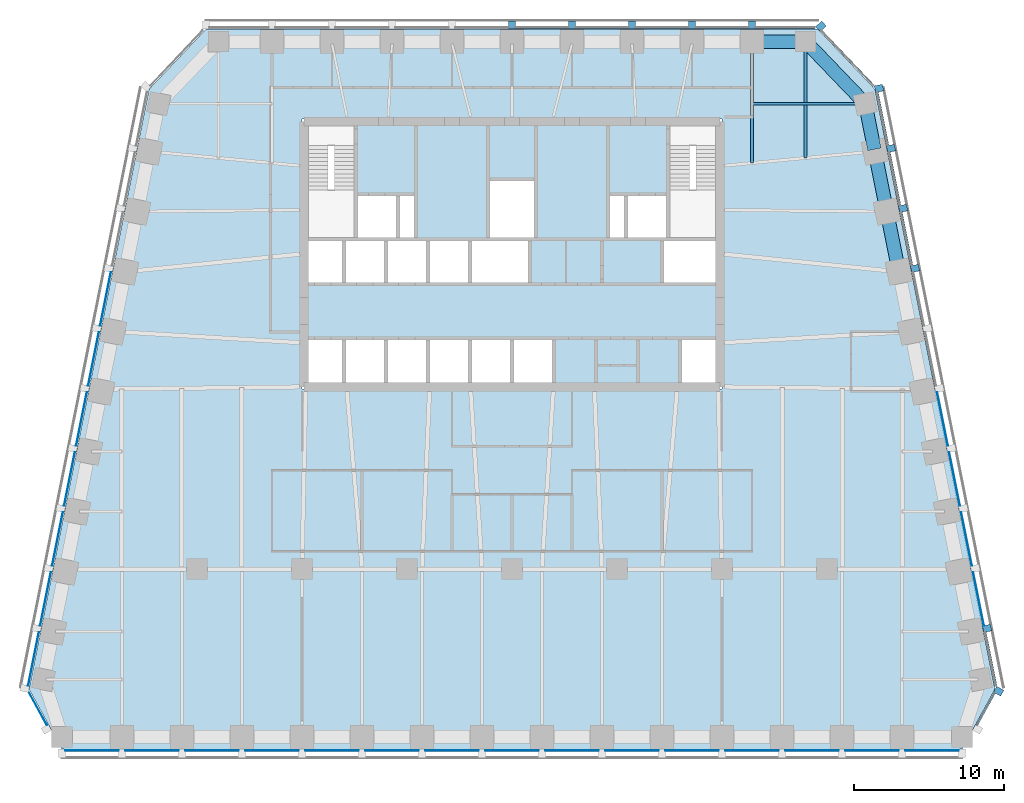
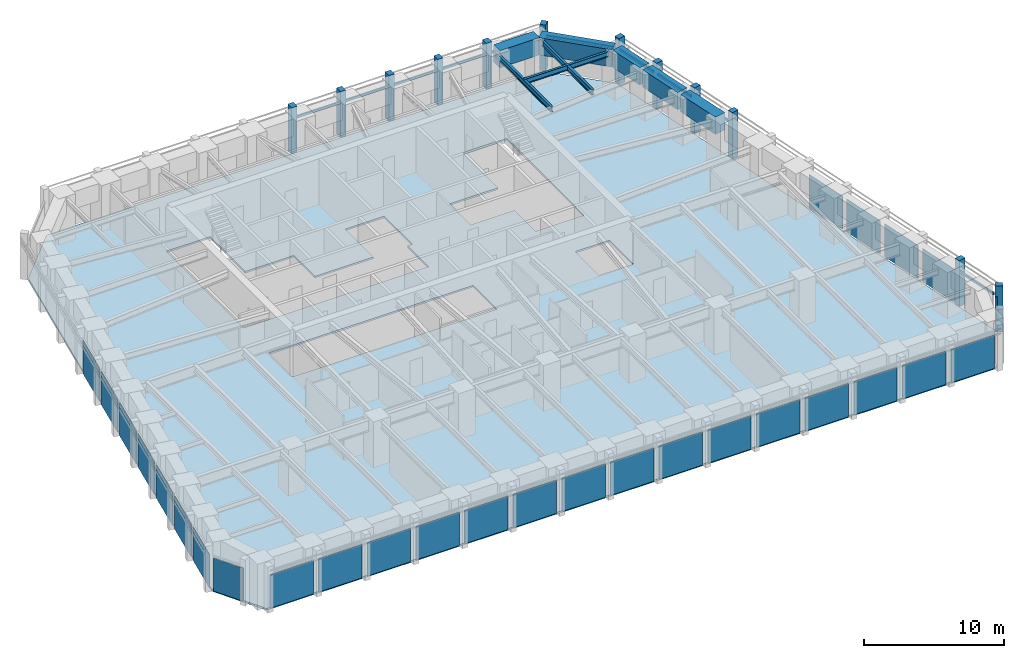
# One storey, part 4 of 10: 27 plates, 23 members, 8 beams, 1 slab, 7 elements without a shape of their own.
"""IFC4 building model written with IfcOpenShell, lengths in metres."""

from ifc_helpers import new_model, si_unit, direction, frame, origin, origin_2d, place, context, subcontext, project, spatial, polyline, rectangle, i_section, outline, extrude, material, layer, layer_set, material_profile, profile_set, type_object, element, aggregate, save


model = new_model("IFC4")

# Units and contexts
model_context = context("Model", 3, precision=1e-05, world=origin(), true_north=direction((0.0, 1.0)))
body_context = subcontext(model_context, "Body", "Model", "MODEL_VIEW")
ifc_project = project(units=[si_unit("LENGTHUNIT", "METRE"), si_unit("AREAUNIT", "SQUARE_METRE"), si_unit("VOLUMEUNIT", "CUBIC_METRE"), si_unit("PLANEANGLEUNIT", "RADIAN"), si_unit("MASSUNIT", "GRAM", prefix="KILO")], contexts=[model_context])

# Site, building, storey
site_placement = place(None, origin())
site = spatial("IfcSite", under=ifc_project, at=site_placement, CompositionType="ELEMENT")
building_placement = place(site_placement, origin())
building = spatial("IfcBuilding", under=site, at=building_placement, Name="Isbrekke Arena Tower", CompositionType="ELEMENT")
storey_placement = place(building_placement, frame((0.0, 0.0, 186.0)))
storey = spatial("IfcBuildingStorey", under=building, at=storey_placement, Name="L42", CompositionType="ELEMENT", Elevation=186.0)

# Beams
ifc_material_1 = material(Name="Steel S355", Category="steel")
ifc_material_profile_1 = material_profile(ifc_material_1, i_section(OverallWidth=0.18994140625, OverallDepth=0.449951171875, WebThickness=0.009521484375, FlangeThickness=0.0146484375, FilletRadius=0.02099609375, at=origin_2d()), Name="IPE 450")
ifc_profile_set_1 = profile_set([ifc_material_profile_1], Name="Steel S355")
beam_type_1 = type_object("IfcBeamType", Name="B2 IPE 450", PredefinedType="BEAM", material=ifc_profile_set_1)
beam_1_placement = place(storey_placement, frame((23.40283203125, 25.029296875, 3.625), z_axis=(-1.0, 0.0, 0.0), x_axis=(0.0, -1.0, 0.0)))
element("IfcBeam", 1, at=beam_1_placement, inside=storey, type_object=beam_type_1, Name="B2 beam E-E11 L42", PredefinedType="BEAM", context=body_context, shape_type="SweptSolid", body=[
    extrude(i_section(OverallWidth=0.18994140625, OverallDepth=0.449951171875, WebThickness=0.009521484375, FlangeThickness=0.0146484375, FilletRadius=0.02099609375, at=origin_2d()), origin(), (0.0, 0.0, 1.0), 7.40283203125),
])
ifc_material_2 = material(Name="Steel S355", Category="steel")
ifc_material_profile_2 = material_profile(ifc_material_2, i_section(OverallWidth=0.18994140625, OverallDepth=0.449951171875, WebThickness=0.009521484375, FlangeThickness=0.0146484375, FilletRadius=0.02099609375, at=origin_2d()), Name="IPE 450")
ifc_profile_set_2 = profile_set([ifc_material_profile_2], Name="Steel S355")
beam_type_2 = type_object("IfcBeamType", Name="B3 IPE 450", PredefinedType="BEAM", material=ifc_profile_set_2)
beam_2_placement = place(storey_placement, frame((19.574951171875, 29.02490234375, 3.625), z_axis=(0.0, -1.0, 0.0), x_axis=(1.0, 0.0, 0.0)))
element("IfcBeam", 2, at=beam_2_placement, inside=storey, type_object=beam_type_2, Name="B3 beam N-N01 L42", PredefinedType="BEAM", context=body_context, shape_type="SweptSolid", body=[
    extrude(i_section(OverallWidth=0.18994140625, OverallDepth=0.449951171875, WebThickness=0.009521484375, FlangeThickness=0.0146484375, FilletRadius=0.02099609375, at=origin_2d()), origin(), (0.0, 0.0, 1.0), 7.6103515625),
])
beam_3_placement = place(storey_placement, frame((16.0, 29.02490234375, 3.625), z_axis=(0.0, -1.0, 0.0), x_axis=(1.0, 0.0, 0.0)))
element("IfcBeam", 3, at=beam_3_placement, inside=storey, type_object=beam_type_2, Name="B3 beam N-N02 L42", PredefinedType="BEAM", context=body_context, shape_type="SweptSolid", body=[
    extrude(i_section(OverallWidth=0.18994140625, OverallDepth=0.449951171875, WebThickness=0.009521484375, FlangeThickness=0.0146484375, FilletRadius=0.02099609375, at=origin_2d()), origin(), (0.0, 0.0, 1.0), 7.949462890625),
])

# Curtain wall, member
ifc_material_3 = material(Name="Glazed aluminium curtain wall", Category="aluminium")
curtain_wall_type = type_object("IfcCurtainWallType", Name="CWH TOWER CURTAIN WALL HIGH ZONE", PredefinedType="USERDEFINED", material=ifc_material_3)
curtain_wall_1_placement = place(storey_placement, origin())
curtain_wall_1 = element("IfcCurtainWall", 4, at=curtain_wall_1_placement, inside=storey, type_object=curtain_wall_type, Name="CWH curtain wall L42-SE", ObjectType="TOWER CURTAIN WALL HIGH ZONE", PredefinedType="USERDEFINED")
ifc_material_4 = material(Name="Aluminium mullion, pale brick slip cladding", Category="masonry")
ifc_material_profile_3 = material_profile(ifc_material_4, rectangle(XDim=0.449951171875, YDim=0.550048828125, at=origin_2d()), Name="PIER 450X550")
ifc_profile_set_3 = profile_set([ifc_material_profile_3], Name="Aluminium mullion, pale brick slip cladding")
member_type_1 = type_object("IfcMemberType", Name="CWH-M PIER MULLION 450 x 550", PredefinedType="MULLION", material=ifc_profile_set_3)
member_1_placement = place(storey_placement, frame((32.44091796875, -14.132568359375, 0.0), z_axis=(0.0, 0.0, 1.0), x_axis=(0.481918749773, 0.876215908676, 0.0)))
member_1 = element("IfcMember", 5, at=member_1_placement, type_object=member_type_1, Name="CWH-M mullion 2", PredefinedType="MULLION", context=body_context, shape_type="SweptSolid", body=[
    extrude(rectangle(XDim=0.449951171875, YDim=0.550048828125, at=origin_2d()), origin(), (0.0, 0.0, 1.0), 4.0),
])

# Curtain wall, members
curtain_wall_2_placement = place(storey_placement, origin())
curtain_wall_2 = element("IfcCurtainWall", 6, at=curtain_wall_2_placement, inside=storey, type_object=curtain_wall_type, Name="CWH curtain wall L42-E", ObjectType="TOWER CURTAIN WALL HIGH ZONE", PredefinedType="USERDEFINED")
member_2_placement = place(storey_placement, frame((31.669677734375, -9.946044921875, 0.0), z_axis=(0.0, 0.0, 1.0), x_axis=(-0.196116135138, 0.980580675691, 0.0)))
member_2 = element("IfcMember", 7, at=member_2_placement, type_object=member_type_1, Name="CWH-M mullion 1", PredefinedType="MULLION", context=body_context, shape_type="SweptSolid", body=[
    extrude(rectangle(XDim=0.449951171875, YDim=0.550048828125, at=origin_2d()), origin(), (0.0, 0.0, 1.0), 4.0),
])
member_3_placement = place(storey_placement, frame((26.86962890625, 14.053955078125, 0.0), z_axis=(0.0, 0.0, 1.0), x_axis=(-0.196116135138, 0.980580675691, 0.0)))
member_3 = element("IfcMember", 8, at=member_3_placement, type_object=member_type_1, Name="CWH-M mullion 7", PredefinedType="MULLION", context=body_context, shape_type="SweptSolid", body=[
    extrude(rectangle(XDim=0.449951171875, YDim=0.550048828125, at=origin_2d()), origin(), (0.0, 0.0, 1.0), 4.0),
])
member_4_placement = place(storey_placement, frame((26.069580078125, 18.053955078125, 0.0), z_axis=(0.0, 0.0, 1.0), x_axis=(-0.196116135138, 0.980580675691, 0.0)))
member_4 = element("IfcMember", 9, at=member_4_placement, type_object=member_type_1, Name="CWH-M mullion 8", PredefinedType="MULLION", context=body_context, shape_type="SweptSolid", body=[
    extrude(rectangle(XDim=0.449951171875, YDim=0.550048828125, at=origin_2d()), origin(), (0.0, 0.0, 1.0), 4.0),
])
member_5_placement = place(storey_placement, frame((25.269775390625, 22.053955078125, 0.0), z_axis=(0.0, 0.0, 1.0), x_axis=(-0.196116135138, 0.980580675691, 0.0)))
member_5 = element("IfcMember", 10, at=member_5_placement, type_object=member_type_1, Name="CWH-M mullion 9", PredefinedType="MULLION", context=body_context, shape_type="SweptSolid", body=[
    extrude(rectangle(XDim=0.449951171875, YDim=0.550048828125, at=origin_2d()), origin(), (0.0, 0.0, 1.0), 4.0),
])
member_6_placement = place(storey_placement, frame((24.4697265625, 26.053955078125, 0.0), z_axis=(0.0, 0.0, 1.0), x_axis=(-0.196116135138, 0.980580675691, 0.0)))
member_6 = element("IfcMember", 11, at=member_6_placement, type_object=member_type_1, Name="CWH-M mullion 10", PredefinedType="MULLION", context=body_context, shape_type="SweptSolid", body=[
    extrude(rectangle(XDim=0.449951171875, YDim=0.550048828125, at=origin_2d()), origin(), (0.0, 0.0, 1.0), 4.0),
])

# Curtain wall, member
curtain_wall_3_placement = place(storey_placement, origin())
curtain_wall_3 = element("IfcCurtainWall", 12, at=curtain_wall_3_placement, inside=storey, type_object=curtain_wall_type, Name="CWH curtain wall L42-EN", ObjectType="TOWER CURTAIN WALL HIGH ZONE", PredefinedType="USERDEFINED")
member_7_placement = place(storey_placement, frame((20.599365234375, 30.189453125, 0.0), z_axis=(0.0, 0.0, 1.0), x_axis=(-0.68874946192, 0.72499943359, 0.0)))
member_7 = element("IfcMember", 13, at=member_7_placement, type_object=member_type_1, Name="CWH-M mullion 1", PredefinedType="MULLION", context=body_context, shape_type="SweptSolid", body=[
    extrude(rectangle(XDim=0.449951171875, YDim=0.550048828125, at=origin_2d()), origin(), (0.0, 0.0, 1.0), 4.0),
])

# Curtain wall, members
curtain_wall_4_placement = place(storey_placement, origin())
curtain_wall_4 = element("IfcCurtainWall", 14, at=curtain_wall_4_placement, inside=storey, type_object=curtain_wall_type, Name="CWH curtain wall L42-N", ObjectType="TOWER CURTAIN WALL HIGH ZONE", PredefinedType="USERDEFINED")
member_8_placement = place(storey_placement, frame((16.0, 30.27490234375, 0.0), z_axis=(0.0, 0.0, 1.0), x_axis=(-1.0, 0.0, 0.0)))
member_8 = element("IfcMember", 15, at=member_8_placement, type_object=member_type_1, Name="CWH-M mullion 1", PredefinedType="MULLION", context=body_context, shape_type="SweptSolid", body=[
    extrude(rectangle(XDim=0.449951171875, YDim=0.550048828125, at=origin_2d()), origin(), (0.0, 0.0, 1.0), 4.0),
])
member_9_placement = place(storey_placement, frame((12.0, 30.27490234375, 0.0), z_axis=(0.0, 0.0, 1.0), x_axis=(-1.0, 0.0, 0.0)))
member_9 = element("IfcMember", 16, at=member_9_placement, type_object=member_type_1, Name="CWH-M mullion 2", PredefinedType="MULLION", context=body_context, shape_type="SweptSolid", body=[
    extrude(rectangle(XDim=0.449951171875, YDim=0.550048828125, at=origin_2d()), origin(), (0.0, 0.0, 1.0), 4.0),
])
member_10_placement = place(storey_placement, frame((8.0, 30.27490234375, 0.0), z_axis=(0.0, 0.0, 1.0), x_axis=(-1.0, 0.0, 0.0)))
member_10 = element("IfcMember", 17, at=member_10_placement, type_object=member_type_1, Name="CWH-M mullion 3", PredefinedType="MULLION", context=body_context, shape_type="SweptSolid", body=[
    extrude(rectangle(XDim=0.449951171875, YDim=0.550048828125, at=origin_2d()), origin(), (0.0, 0.0, 1.0), 4.0),
])
member_11_placement = place(storey_placement, frame((4.0, 30.27490234375, 0.0), z_axis=(0.0, 0.0, 1.0), x_axis=(-1.0, 0.0, 0.0)))
member_11 = element("IfcMember", 18, at=member_11_placement, type_object=member_type_1, Name="CWH-M mullion 4", PredefinedType="MULLION", context=body_context, shape_type="SweptSolid", body=[
    extrude(rectangle(XDim=0.449951171875, YDim=0.550048828125, at=origin_2d()), origin(), (0.0, 0.0, 1.0), 4.0),
])
member_12_placement = place(storey_placement, frame((0.0, 30.27490234375, 0.0), z_axis=(0.0, 0.0, 1.0), x_axis=(-1.0, 0.0, 0.0)))
member_12 = element("IfcMember", 19, at=member_12_placement, type_object=member_type_1, Name="CWH-M mullion 5", PredefinedType="MULLION", context=body_context, shape_type="SweptSolid", body=[
    extrude(rectangle(XDim=0.449951171875, YDim=0.550048828125, at=origin_2d()), origin(), (0.0, 0.0, 1.0), 4.0),
])

# Member
ifc_material_5 = material(Name="Aluminium transom", Category="aluminium")
ifc_material_profile_4 = material_profile(ifc_material_5, rectangle(XDim=0.1201171875, YDim=0.199951171875, at=origin_2d()), Name="TRANSOM 120X200")
ifc_profile_set_4 = profile_set([ifc_material_profile_4], Name="Aluminium transom")
member_type_2 = type_object("IfcMemberType", Name="CWH-T TRANSOM 120 x 200", PredefinedType="USERDEFINED", material=ifc_profile_set_4)
member_13_placement = place(storey_placement, frame((31.002197265625, -16.38525390625, 3.0), z_axis=(0.481937937062, 0.876205355393, 0.0), x_axis=(-0.876205355393, 0.481937937062, 0.0)))
member_13 = element("IfcMember", 20, at=member_13_placement, type_object=member_type_2, Name="CWH-T transom 1", ObjectType="TRANSOM", PredefinedType="USERDEFINED", context=body_context, shape_type="SweptSolid", body=[
    extrude(rectangle(XDim=0.1201171875, YDim=0.199951171875, at=origin_2d()), origin(), (0.0, 0.0, 1.0), 2.442138671875),
])

aggregate(curtain_wall_1, [member_1, member_13])

member_14_placement = place(storey_placement, frame((32.25390625, -13.759765625, 3.0), z_axis=(-0.196090262229, 0.980585849918, 0.0), x_axis=(-0.980585849918, -0.196090262229, 0.0)))
member_14 = element("IfcMember", 21, at=member_14_placement, type_object=member_type_2, Name="CWH-T transom 1", ObjectType="TRANSOM", PredefinedType="USERDEFINED", context=body_context, shape_type="SweptSolid", body=[
    extrude(rectangle(XDim=0.1201171875, YDim=0.199951171875, at=origin_2d()), origin(), (0.0, 0.0, 1.0), 3.62939453125),
])

member_15_placement = place(storey_placement, frame((26.654052734375, 14.240234375, 3.0), z_axis=(-0.196154943734, 0.980572913173, 0.0), x_axis=(-0.980572913173, -0.196154943734, 0.0)))
member_15 = element("IfcMember", 22, at=member_15_placement, type_object=member_type_2, Name="CWH-T transom 8", ObjectType="TRANSOM", PredefinedType="USERDEFINED", context=body_context, shape_type="SweptSolid", body=[
    extrude(rectangle(XDim=0.1201171875, YDim=0.199951171875, at=origin_2d()), origin(), (0.0, 0.0, 1.0), 3.62939453125),
])

member_16_placement = place(storey_placement, frame((25.85400390625, 18.240234375, 3.0), z_axis=(-0.196154943734, 0.980572913173, 0.0), x_axis=(-0.980572913173, -0.196154943734, 0.0)))
member_16 = element("IfcMember", 23, at=member_16_placement, type_object=member_type_2, Name="CWH-T transom 9", ObjectType="TRANSOM", PredefinedType="USERDEFINED", context=body_context, shape_type="SweptSolid", body=[
    extrude(rectangle(XDim=0.1201171875, YDim=0.199951171875, at=origin_2d()), origin(), (0.0, 0.0, 1.0), 3.62939453125),
])

member_17_placement = place(storey_placement, frame((25.053955078125, 22.240234375, 3.0), z_axis=(-0.196090262229, 0.980585849918, 0.0), x_axis=(-0.980585849918, -0.196090262229, 0.0)))
member_17 = element("IfcMember", 24, at=member_17_placement, type_object=member_type_2, Name="CWH-T transom 10", ObjectType="TRANSOM", PredefinedType="USERDEFINED", context=body_context, shape_type="SweptSolid", body=[
    extrude(rectangle(XDim=0.1201171875, YDim=0.199951171875, at=origin_2d()), origin(), (0.0, 0.0, 1.0), 3.62939453125),
])

member_18_placement = place(storey_placement, frame((24.117431640625, 26.23193359375, 3.0), z_axis=(-0.688734266994, 0.725013868466, 0.0), x_axis=(-0.725013868466, -0.688734266994, 0.0)))
member_18 = element("IfcMember", 25, at=member_18_placement, type_object=member_type_2, Name="CWH-T transom 1", ObjectType="TRANSOM", PredefinedType="USERDEFINED", context=body_context, shape_type="SweptSolid", body=[
    extrude(rectangle(XDim=0.1201171875, YDim=0.199951171875, at=origin_2d()), origin(), (0.0, 0.0, 1.0), 5.067138671875),
])

aggregate(curtain_wall_3, [member_7, member_18])

member_19_placement = place(storey_placement, frame((20.175048828125, 30.10009765625, 3.0), z_axis=(-1.0, 0.0, 0.0), x_axis=(0.0, -1.0, 0.0)))
member_19 = element("IfcMember", 26, at=member_19_placement, type_object=member_type_2, Name="CWH-T transom 1", ObjectType="TRANSOM", PredefinedType="USERDEFINED", context=body_context, shape_type="SweptSolid", body=[
    extrude(rectangle(XDim=0.1201171875, YDim=0.199951171875, at=origin_2d()), origin(), (0.0, 0.0, 1.0), 3.949951171875),
])

member_20_placement = place(storey_placement, frame((15.77490234375, 30.10009765625, 3.0), z_axis=(-1.0, 0.0, 0.0), x_axis=(0.0, -1.0, 0.0)))
member_20 = element("IfcMember", 27, at=member_20_placement, type_object=member_type_2, Name="CWH-T transom 2", ObjectType="TRANSOM", PredefinedType="USERDEFINED", context=body_context, shape_type="SweptSolid", body=[
    extrude(rectangle(XDim=0.1201171875, YDim=0.199951171875, at=origin_2d()), origin(), (0.0, 0.0, 1.0), 3.5498046875),
])

member_21_placement = place(storey_placement, frame((11.77490234375, 30.10009765625, 3.0), z_axis=(-1.0, 0.0, 0.0), x_axis=(0.0, -1.0, 0.0)))
member_21 = element("IfcMember", 28, at=member_21_placement, type_object=member_type_2, Name="CWH-T transom 3", ObjectType="TRANSOM", PredefinedType="USERDEFINED", context=body_context, shape_type="SweptSolid", body=[
    extrude(rectangle(XDim=0.1201171875, YDim=0.199951171875, at=origin_2d()), origin(), (0.0, 0.0, 1.0), 3.5498046875),
])

member_22_placement = place(storey_placement, frame((7.77490234375, 30.10009765625, 3.0), z_axis=(-1.0, 0.0, 0.0), x_axis=(0.0, -1.0, 0.0)))
member_22 = element("IfcMember", 29, at=member_22_placement, type_object=member_type_2, Name="CWH-T transom 4", ObjectType="TRANSOM", PredefinedType="USERDEFINED", context=body_context, shape_type="SweptSolid", body=[
    extrude(rectangle(XDim=0.1201171875, YDim=0.199951171875, at=origin_2d()), origin(), (0.0, 0.0, 1.0), 3.5498046875),
])

member_23_placement = place(storey_placement, frame((3.77490234375, 30.10009765625, 3.0), z_axis=(-1.0, 0.0, 0.0), x_axis=(0.0, -1.0, 0.0)))
member_23 = element("IfcMember", 30, at=member_23_placement, type_object=member_type_2, Name="CWH-T transom 5", ObjectType="TRANSOM", PredefinedType="USERDEFINED", context=body_context, shape_type="SweptSolid", body=[
    extrude(rectangle(XDim=0.1201171875, YDim=0.199951171875, at=origin_2d()), origin(), (0.0, 0.0, 1.0), 3.5498046875),
])

aggregate(curtain_wall_4, [member_8, member_9, member_10, member_11, member_12, member_19, member_20, member_21, member_22, member_23])

# Beams
ifc_material_6 = material(Name="Concrete B65 (C65/80)", Category="concrete")
ifc_material_profile_5 = material_profile(ifc_material_6, rectangle(XDim=0.89990234375, YDim=1.5, at=origin_2d()), Name="RC 900x1500")
ifc_profile_set_5 = profile_set([ifc_material_profile_5], Name="Concrete B65 (C65/80)")
beam_type_3 = type_object("IfcBeamType", Name="SB3 RC 900 x 1500", PredefinedType="SPANDREL", material=ifc_profile_set_5)
for number, where, z_axis, x_axis, name in (
    (31, (25.76171875, 13.9853515625, 3.25), (-0.196128558387, 0.980578190959, 0.0), (-0.980578190959, -0.196128558387, 0.0), "SB3 spandrel E08-E09 L42"),
    (32, (24.961669921875, 17.9853515625, 3.25), (-0.196128558387, 0.980578190959, 0.0), (-0.980578190959, -0.196128558387, 0.0), "SB3 spandrel E09-E10 L42"),
):
    element("IfcBeam", number, at=place(storey_placement, frame(where, z_axis=z_axis, x_axis=x_axis)), inside=storey, type_object=beam_type_3, Name=name, PredefinedType="SPANDREL", context=body_context, shape_type="SweptSolid", body=[
        extrude(rectangle(XDim=0.89990234375, YDim=1.5, at=origin_2d()), origin(), (0.0, 0.0, 1.0), 3.779296875),
    ])
beam_4_placement = place(storey_placement, frame((24.16162109375, 21.9853515625, 3.25), z_axis=(-0.196116135138, 0.980580675691, 0.0), x_axis=(-0.980580675691, -0.196116135138, 0.0)))
element("IfcBeam", 33, at=beam_4_placement, inside=storey, type_object=beam_type_3, Name="SB3 spandrel E10-E11 L42", PredefinedType="SPANDREL", context=body_context, shape_type="SweptSolid", body=[
    extrude(rectangle(XDim=0.89990234375, YDim=1.5, at=origin_2d()), origin(), (0.0, 0.0, 1.0), 2.9541015625),
])
beam_5_placement = place(storey_placement, frame((23.448974609375, 25.137451171875, 3.25), z_axis=(-0.692339547635, 0.721571861134, 0.0), x_axis=(-0.721571861134, -0.692339547635, 0.0)))
element("IfcBeam", 34, at=beam_5_placement, inside=storey, type_object=beam_type_3, Name="SB3 spandrel E11-N01 L42", PredefinedType="SPANDREL", context=body_context, shape_type="SweptSolid", body=[
    extrude(rectangle(XDim=0.89990234375, YDim=1.5, at=origin_2d()), origin(), (0.0, 0.0, 1.0), 5.4453125),
])
beam_6_placement = place(storey_placement, frame((19.425048828125, 29.175048828125, 3.25), z_axis=(-1.0, 0.0, 0.0), x_axis=(0.0, -1.0, 0.0)))
element("IfcBeam", 35, at=beam_6_placement, inside=storey, type_object=beam_type_3, Name="SB3 spandrel N01-N02 L42", PredefinedType="SPANDREL", context=body_context, shape_type="SweptSolid", body=[
    extrude(rectangle(XDim=0.89990234375, YDim=1.5, at=origin_2d()), origin(), (0.0, 0.0, 1.0), 3.275146484375),
])

# Curtain wall, plates
curtain_wall_5_placement = place(storey_placement, origin())
curtain_wall_5 = element("IfcCurtainWall", 36, at=curtain_wall_5_placement, inside=storey, type_object=curtain_wall_type, Name="CWH curtain wall L42-S", ObjectType="TOWER CURTAIN WALL HIGH ZONE", PredefinedType="USERDEFINED")
ifc_material_7 = material(Name="Triple-glazed clear glass unit", Category="glass")
ifc_layer_1 = layer(ifc_material_7, 0.031982421875)
ifc_layer_set_1 = layer_set([ifc_layer_1], Name="CWH-P VISION PANEL")
plate_type = type_object("IfcPlateType", Name="CWH-P VISION PANEL", PredefinedType="CURTAIN_PANEL", material=ifc_layer_set_1)
plate_1_placement = place(storey_placement, frame((-28.0, -18.10009765625, 0.02001953125), z_axis=(0.0, 0.0, 1.0), x_axis=(1.0, 0.0, 0.0)))
plate_1 = element("IfcPlate", 37, at=plate_1_placement, type_object=plate_type, Name="CWH-P panel 1", PredefinedType="CURTAIN_PANEL", context=body_context, shape_type="SweptSolid", body=[
    extrude(rectangle(XDim=3.550048828125, YDim=0.031982421875, at=origin_2d()), origin(), (0.0, 0.0, 1.0), 2.8798828125),
])
plate_2_placement = place(storey_placement, frame((-24.0, -18.10009765625, 0.02001953125), z_axis=(0.0, 0.0, 1.0), x_axis=(1.0, 0.0, 0.0)))
plate_2 = element("IfcPlate", 38, at=plate_2_placement, type_object=plate_type, Name="CWH-P panel 2", PredefinedType="CURTAIN_PANEL", context=body_context, shape_type="SweptSolid", body=[
    extrude(rectangle(XDim=3.550048828125, YDim=0.031982421875, at=origin_2d()), origin(), (0.0, 0.0, 1.0), 2.8798828125),
])
plate_3_placement = place(storey_placement, frame((-20.0, -18.10009765625, 0.02001953125), z_axis=(0.0, 0.0, 1.0), x_axis=(1.0, 0.0, 0.0)))
plate_3 = element("IfcPlate", 39, at=plate_3_placement, type_object=plate_type, Name="CWH-P panel 3", PredefinedType="CURTAIN_PANEL", context=body_context, shape_type="SweptSolid", body=[
    extrude(rectangle(XDim=3.550048828125, YDim=0.031982421875, at=origin_2d()), origin(), (0.0, 0.0, 1.0), 2.8798828125),
])
plate_4_placement = place(storey_placement, frame((-16.0, -18.10009765625, 0.02001953125), z_axis=(0.0, 0.0, 1.0), x_axis=(1.0, 0.0, 0.0)))
plate_4 = element("IfcPlate", 40, at=plate_4_placement, type_object=plate_type, Name="CWH-P panel 4", PredefinedType="CURTAIN_PANEL", context=body_context, shape_type="SweptSolid", body=[
    extrude(rectangle(XDim=3.550048828125, YDim=0.031982421875, at=origin_2d()), origin(), (0.0, 0.0, 1.0), 2.8798828125),
])
plate_5_placement = place(storey_placement, frame((-12.0, -18.10009765625, 0.02001953125), z_axis=(0.0, 0.0, 1.0), x_axis=(1.0, 0.0, 0.0)))
plate_5 = element("IfcPlate", 41, at=plate_5_placement, type_object=plate_type, Name="CWH-P panel 5", PredefinedType="CURTAIN_PANEL", context=body_context, shape_type="SweptSolid", body=[
    extrude(rectangle(XDim=3.550048828125, YDim=0.031982421875, at=origin_2d()), origin(), (0.0, 0.0, 1.0), 2.8798828125),
])
plate_6_placement = place(storey_placement, frame((-8.0, -18.10009765625, 0.02001953125), z_axis=(0.0, 0.0, 1.0), x_axis=(1.0, 0.0, 0.0)))
plate_6 = element("IfcPlate", 42, at=plate_6_placement, type_object=plate_type, Name="CWH-P panel 6", PredefinedType="CURTAIN_PANEL", context=body_context, shape_type="SweptSolid", body=[
    extrude(rectangle(XDim=3.550048828125, YDim=0.031982421875, at=origin_2d()), origin(), (0.0, 0.0, 1.0), 2.8798828125),
])
plate_7_placement = place(storey_placement, frame((-4.0, -18.10009765625, 0.02001953125), z_axis=(0.0, 0.0, 1.0), x_axis=(1.0, 0.0, 0.0)))
plate_7 = element("IfcPlate", 43, at=plate_7_placement, type_object=plate_type, Name="CWH-P panel 7", PredefinedType="CURTAIN_PANEL", context=body_context, shape_type="SweptSolid", body=[
    extrude(rectangle(XDim=3.550048828125, YDim=0.031982421875, at=origin_2d()), origin(), (0.0, 0.0, 1.0), 2.8798828125),
])
plate_8_placement = place(storey_placement, frame((0.0, -18.10009765625, 0.02001953125), z_axis=(0.0, 0.0, 1.0), x_axis=(1.0, 0.0, 0.0)))
plate_8 = element("IfcPlate", 44, at=plate_8_placement, type_object=plate_type, Name="CWH-P panel 8", PredefinedType="CURTAIN_PANEL", context=body_context, shape_type="SweptSolid", body=[
    extrude(rectangle(XDim=3.550048828125, YDim=0.031982421875, at=origin_2d()), origin(), (0.0, 0.0, 1.0), 2.8798828125),
])
plate_9_placement = place(storey_placement, frame((4.0, -18.10009765625, 0.02001953125), z_axis=(0.0, 0.0, 1.0), x_axis=(1.0, 0.0, 0.0)))
plate_9 = element("IfcPlate", 45, at=plate_9_placement, type_object=plate_type, Name="CWH-P panel 9", PredefinedType="CURTAIN_PANEL", context=body_context, shape_type="SweptSolid", body=[
    extrude(rectangle(XDim=3.550048828125, YDim=0.031982421875, at=origin_2d()), origin(), (0.0, 0.0, 1.0), 2.8798828125),
])
plate_10_placement = place(storey_placement, frame((8.0, -18.10009765625, 0.02001953125), z_axis=(0.0, 0.0, 1.0), x_axis=(1.0, 0.0, 0.0)))
plate_10 = element("IfcPlate", 46, at=plate_10_placement, type_object=plate_type, Name="CWH-P panel 10", PredefinedType="CURTAIN_PANEL", context=body_context, shape_type="SweptSolid", body=[
    extrude(rectangle(XDim=3.550048828125, YDim=0.031982421875, at=origin_2d()), origin(), (0.0, 0.0, 1.0), 2.8798828125),
])
plate_11_placement = place(storey_placement, frame((12.0, -18.10009765625, 0.02001953125), z_axis=(0.0, 0.0, 1.0), x_axis=(1.0, 0.0, 0.0)))
plate_11 = element("IfcPlate", 47, at=plate_11_placement, type_object=plate_type, Name="CWH-P panel 11", PredefinedType="CURTAIN_PANEL", context=body_context, shape_type="SweptSolid", body=[
    extrude(rectangle(XDim=3.550048828125, YDim=0.031982421875, at=origin_2d()), origin(), (0.0, 0.0, 1.0), 2.8798828125),
])
plate_12_placement = place(storey_placement, frame((16.0, -18.10009765625, 0.02001953125), z_axis=(0.0, 0.0, 1.0), x_axis=(1.0, 0.0, 0.0)))
plate_12 = element("IfcPlate", 48, at=plate_12_placement, type_object=plate_type, Name="CWH-P panel 12", PredefinedType="CURTAIN_PANEL", context=body_context, shape_type="SweptSolid", body=[
    extrude(rectangle(XDim=3.550048828125, YDim=0.031982421875, at=origin_2d()), origin(), (0.0, 0.0, 1.0), 2.8798828125),
])
plate_13_placement = place(storey_placement, frame((20.0, -18.10009765625, 0.02001953125), z_axis=(0.0, 0.0, 1.0), x_axis=(1.0, 0.0, 0.0)))
plate_13 = element("IfcPlate", 49, at=plate_13_placement, type_object=plate_type, Name="CWH-P panel 13", PredefinedType="CURTAIN_PANEL", context=body_context, shape_type="SweptSolid", body=[
    extrude(rectangle(XDim=3.550048828125, YDim=0.031982421875, at=origin_2d()), origin(), (0.0, 0.0, 1.0), 2.8798828125),
])
plate_14_placement = place(storey_placement, frame((24.0, -18.10009765625, 0.02001953125), z_axis=(0.0, 0.0, 1.0), x_axis=(1.0, 0.0, 0.0)))
plate_14 = element("IfcPlate", 50, at=plate_14_placement, type_object=plate_type, Name="CWH-P panel 14", PredefinedType="CURTAIN_PANEL", context=body_context, shape_type="SweptSolid", body=[
    extrude(rectangle(XDim=3.550048828125, YDim=0.031982421875, at=origin_2d()), origin(), (0.0, 0.0, 1.0), 2.8798828125),
])
plate_15_placement = place(storey_placement, frame((28.0, -18.10009765625, 0.02001953125), z_axis=(0.0, 0.0, 1.0), x_axis=(1.0, 0.0, 0.0)))
plate_15 = element("IfcPlate", 51, at=plate_15_placement, type_object=plate_type, Name="CWH-P panel 15", PredefinedType="CURTAIN_PANEL", context=body_context, shape_type="SweptSolid", body=[
    extrude(rectangle(XDim=3.550048828125, YDim=0.031982421875, at=origin_2d()), origin(), (0.0, 0.0, 1.0), 2.8798828125),
])
aggregate(curtain_wall_5, [plate_1, plate_2, plate_3, plate_4, plate_5, plate_6, plate_7, plate_8, plate_9, plate_10, plate_11, plate_12, plate_13, plate_14, plate_15])

# Plate
plate_16_placement = place(storey_placement, frame((31.09814453125, -7.98046875, 0.02001953125), z_axis=(0.0, 0.0, 1.0), x_axis=(-0.196116135138, 0.980580675691, 0.0)))
plate_16 = element("IfcPlate", 52, at=plate_16_placement, type_object=plate_type, Name="CWH-P panel 2", PredefinedType="CURTAIN_PANEL", context=body_context, shape_type="SweptSolid", body=[
    extrude(rectangle(XDim=3.629150390625, YDim=0.031982421875, at=origin_2d()), origin(), (0.0, 0.0, 1.0), 2.8798828125),
])

plate_17_placement = place(storey_placement, frame((30.298095703125, -3.98046875, 0.02001953125), z_axis=(0.0, 0.0, 1.0), x_axis=(-0.196116135138, 0.980580675691, 0.0)))
plate_17 = element("IfcPlate", 53, at=plate_17_placement, type_object=plate_type, Name="CWH-P panel 3", PredefinedType="CURTAIN_PANEL", context=body_context, shape_type="SweptSolid", body=[
    extrude(rectangle(XDim=3.629150390625, YDim=0.031982421875, at=origin_2d()), origin(), (0.0, 0.0, 1.0), 2.8798828125),
])

plate_18_placement = place(storey_placement, frame((29.498046875, 0.01953125, 0.02001953125), z_axis=(0.0, 0.0, 1.0), x_axis=(-0.196116135138, 0.980580675691, 0.0)))
plate_18 = element("IfcPlate", 54, at=plate_18_placement, type_object=plate_type, Name="CWH-P panel 4", PredefinedType="CURTAIN_PANEL", context=body_context, shape_type="SweptSolid", body=[
    extrude(rectangle(XDim=3.629150390625, YDim=0.031982421875, at=origin_2d()), origin(), (0.0, 0.0, 1.0), 2.8798828125),
])

plate_19_placement = place(storey_placement, frame((28.697998046875, 4.01953125, 0.02001953125), z_axis=(0.0, 0.0, 1.0), x_axis=(-0.196116135138, 0.980580675691, 0.0)))
plate_19 = element("IfcPlate", 55, at=plate_19_placement, type_object=plate_type, Name="CWH-P panel 5", PredefinedType="CURTAIN_PANEL", context=body_context, shape_type="SweptSolid", body=[
    extrude(rectangle(XDim=3.629150390625, YDim=0.031982421875, at=origin_2d()), origin(), (0.0, 0.0, 1.0), 2.8798828125),
])

aggregate(curtain_wall_2, [member_2, member_3, member_4, member_5, member_6, member_14, plate_16, plate_17, plate_18, plate_19, member_15, member_16, member_17])

# Curtain wall, plates
curtain_wall_6_placement = place(storey_placement, origin())
curtain_wall_6 = element("IfcCurtainWall", 56, at=curtain_wall_6_placement, inside=storey, type_object=curtain_wall_type, Name="CWH curtain wall L42-W", ObjectType="TOWER CURTAIN WALL HIGH ZONE", PredefinedType="USERDEFINED")
plate_20_placement = place(storey_placement, frame((-27.09814453125, 12.01953125, 0.02001953125), z_axis=(0.0, 0.0, 1.0), x_axis=(-0.196116135138, -0.980580675691, 0.0)))
plate_20 = element("IfcPlate", 57, at=plate_20_placement, type_object=plate_type, Name="CWH-P panel 4", PredefinedType="CURTAIN_PANEL", context=body_context, shape_type="SweptSolid", body=[
    extrude(rectangle(XDim=3.629150390625, YDim=0.031982421875, at=origin_2d()), origin(), (0.0, 0.0, 1.0), 2.8798828125),
])
plate_21_placement = place(storey_placement, frame((-27.89794921875, 8.01953125, 0.02001953125), z_axis=(0.0, 0.0, 1.0), x_axis=(-0.196116135138, -0.980580675691, 0.0)))
plate_21 = element("IfcPlate", 58, at=plate_21_placement, type_object=plate_type, Name="CWH-P panel 5", PredefinedType="CURTAIN_PANEL", context=body_context, shape_type="SweptSolid", body=[
    extrude(rectangle(XDim=3.629150390625, YDim=0.031982421875, at=origin_2d()), origin(), (0.0, 0.0, 1.0), 2.8798828125),
])
plate_22_placement = place(storey_placement, frame((-28.697998046875, 4.01953125, 0.02001953125), z_axis=(0.0, 0.0, 1.0), x_axis=(-0.196116135138, -0.980580675691, 0.0)))
plate_22 = element("IfcPlate", 59, at=plate_22_placement, type_object=plate_type, Name="CWH-P panel 6", PredefinedType="CURTAIN_PANEL", context=body_context, shape_type="SweptSolid", body=[
    extrude(rectangle(XDim=3.629150390625, YDim=0.031982421875, at=origin_2d()), origin(), (0.0, 0.0, 1.0), 2.8798828125),
])
plate_23_placement = place(storey_placement, frame((-29.498046875, 0.01953125, 0.02001953125), z_axis=(0.0, 0.0, 1.0), x_axis=(-0.196116135138, -0.980580675691, 0.0)))
plate_23 = element("IfcPlate", 60, at=plate_23_placement, type_object=plate_type, Name="CWH-P panel 7", PredefinedType="CURTAIN_PANEL", context=body_context, shape_type="SweptSolid", body=[
    extrude(rectangle(XDim=3.629150390625, YDim=0.031982421875, at=origin_2d()), origin(), (0.0, 0.0, 1.0), 2.8798828125),
])
plate_24_placement = place(storey_placement, frame((-30.298095703125, -3.98046875, 0.02001953125), z_axis=(0.0, 0.0, 1.0), x_axis=(-0.196116135138, -0.980580675691, 0.0)))
plate_24 = element("IfcPlate", 61, at=plate_24_placement, type_object=plate_type, Name="CWH-P panel 8", PredefinedType="CURTAIN_PANEL", context=body_context, shape_type="SweptSolid", body=[
    extrude(rectangle(XDim=3.629150390625, YDim=0.031982421875, at=origin_2d()), origin(), (0.0, 0.0, 1.0), 2.8798828125),
])
plate_25_placement = place(storey_placement, frame((-31.09814453125, -7.98046875, 0.02001953125), z_axis=(0.0, 0.0, 1.0), x_axis=(-0.196116135138, -0.980580675691, 0.0)))
plate_25 = element("IfcPlate", 62, at=plate_25_placement, type_object=plate_type, Name="CWH-P panel 9", PredefinedType="CURTAIN_PANEL", context=body_context, shape_type="SweptSolid", body=[
    extrude(rectangle(XDim=3.629150390625, YDim=0.031982421875, at=origin_2d()), origin(), (0.0, 0.0, 1.0), 2.8798828125),
])
plate_26_placement = place(storey_placement, frame((-31.89794921875, -11.98046875, 0.02001953125), z_axis=(0.0, 0.0, 1.0), x_axis=(-0.196116135138, -0.980580675691, 0.0)))
plate_26 = element("IfcPlate", 63, at=plate_26_placement, type_object=plate_type, Name="CWH-P panel 10", PredefinedType="CURTAIN_PANEL", context=body_context, shape_type="SweptSolid", body=[
    extrude(rectangle(XDim=3.629150390625, YDim=0.031982421875, at=origin_2d()), origin(), (0.0, 0.0, 1.0), 2.8798828125),
])
aggregate(curtain_wall_6, [plate_20, plate_21, plate_22, plate_23, plate_24, plate_25, plate_26])

# Curtain wall, plate
curtain_wall_7_placement = place(storey_placement, origin())
curtain_wall_7 = element("IfcCurtainWall", 64, at=curtain_wall_7_placement, inside=storey, type_object=curtain_wall_type, Name="CWH curtain wall L42-WS", ObjectType="TOWER CURTAIN WALL HIGH ZONE", PredefinedType="USERDEFINED")
plate_27_placement = place(storey_placement, frame((-31.59033203125, -15.31591796875, 0.02001953125), z_axis=(0.0, 0.0, 1.0), x_axis=(0.481918749773, -0.876215908676, 0.0)))
plate_27 = element("IfcPlate", 65, at=plate_27_placement, type_object=plate_type, Name="CWH-P panel 1", PredefinedType="CURTAIN_PANEL", context=body_context, shape_type="SweptSolid", body=[
    extrude(rectangle(XDim=2.443603515625, YDim=0.031982421875, at=origin_2d()), origin(), (0.0, 0.0, 1.0), 2.8798828125),
])
aggregate(curtain_wall_7, [plate_27])

# Slab
ifc_material_8 = material(Name="Concrete B35 (C35/45)", Category="concrete")
ifc_layer_2 = layer(ifc_material_8, 0.14990234375)
ifc_layer_set_2 = layer_set([ifc_layer_2], Name="FS1 COMPOSITE FLOOR 150")
slab_type = type_object("IfcSlabType", Name="FS1 COMPOSITE FLOOR 150", PredefinedType="FLOOR", material=ifc_layer_set_2)
slab_placement = place(storey_placement, frame((0.0, 0.0, -0.14990234375)))
element("IfcSlab", 66, at=slab_placement, inside=storey, type_object=slab_type, Name="FS1 floor slab L42", PredefinedType="FLOOR", context=body_context, shape_type="SweptSolid", body=[
    extrude(outline(polyline([(-30.0, -18.0), (30.0, -18.0), (32.199951171875, -14.0), (24.199951171875, 26.0), (20.39990234375, 30.0), (-20.39990234375, 30.0), (-24.199951171875, 26.0), (-32.199951171875, -14.0), (-30.0, -18.0)]), holes=[polyline([(2.800048828125, 9.39990234375), (2.800048828125, 6.0), (-14.0, 6.0), (-14.0, 9.39990234375), (2.800048828125, 9.39990234375)]), polyline([(11.199951171875, 6.0), (11.199951171875, 9.39990234375), (14.0, 9.39990234375), (14.0, 6.0), (11.199951171875, 6.0)]), polyline([(-14.0, 13.0), (-14.0, 24.0), (-10.39990234375, 24.0), (-10.39990234375, 19.0), (-6.39990234375, 19.0), (-6.39990234375, 16.0), (-1.60009765625, 16.0), (-1.60009765625, 20.0), (1.60009765625, 20.0), (1.60009765625, 16.0), (1.199951171875, 16.0), (1.199951171875, 13.0), (-14.0, 13.0)]), polyline([(10.0, 13.0), (10.0, 16.0), (6.39990234375, 16.0), (6.39990234375, 19.0), (10.39990234375, 19.0), (10.39990234375, 24.0), (14.0, 24.0), (14.0, 13.0), (10.0, 13.0)])]), origin(), (0.0, 0.0, 1.0), 0.14990234375),
])

save(model, "model.ifc")
